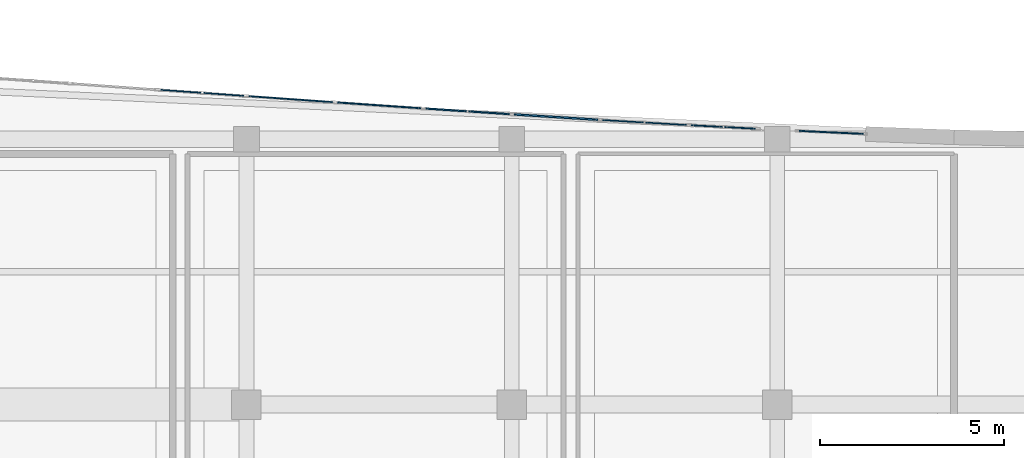
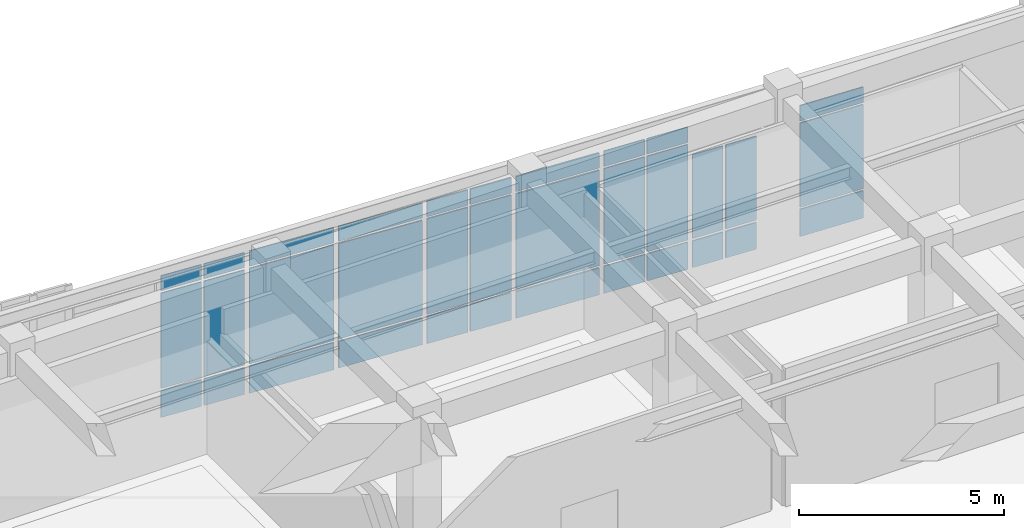
# One storey, part 78 of 117: 34 plates, 8 elements without a shape of their own.
"""IFC4 building model written with IfcOpenShell, lengths in metres."""

from ifc_helpers import new_model, si_unit, direction, frame, origin, origin_2d, place, context, subcontext, project, spatial, rectangle, extrude, material, layer, layer_set, type_object, element, aggregate, save


model = new_model("IFC4")

# Units and contexts
model_context = context("Model", 3, precision=1e-05, world=origin(), true_north=direction((0.0, 1.0)))
body_context = subcontext(model_context, "Body", "Model", "MODEL_VIEW")
ifc_project = project(units=[si_unit("LENGTHUNIT", "METRE"), si_unit("AREAUNIT", "SQUARE_METRE"), si_unit("VOLUMEUNIT", "CUBIC_METRE"), si_unit("PLANEANGLEUNIT", "RADIAN"), si_unit("MASSUNIT", "GRAM", prefix="KILO")], contexts=[model_context])

# Site, building, storey
site_placement = place(None, origin())
site = spatial("IfcSite", under=ifc_project, at=site_placement, CompositionType="ELEMENT")
building_placement = place(site_placement, origin())
building = spatial("IfcBuilding", under=site, at=building_placement, Name="Carrowvane Square Congress Hotel", CompositionType="ELEMENT")
storey_placement = place(building_placement, frame((0.0, 0.0, 5.39990234375)))
storey = spatial("IfcBuildingStorey", under=building, at=storey_placement, Name="L01", CompositionType="ELEMENT", Elevation=5.39990234375)

# Curtain wall, plates
ifc_material_1 = material(Name="Anodised aluminium", Category="aluminium")
ifc_layer_1 = layer(ifc_material_1, 0.174072265625)
ifc_layer_set_1 = layer_set([ifc_layer_1], Name="Anodised aluminium")
curtain_wall_type_1 = type_object("IfcCurtainWallType", Name="CW-SYS-2", PredefinedType="NOTDEFINED", material=ifc_layer_set_1)
curtain_wall_1_placement = place(storey_placement, origin())
curtain_wall_1 = element("IfcCurtainWall", 1, at=curtain_wall_1_placement, inside=storey, type_object=curtain_wall_type_1, Name="L01 unitised curtain wall 105", PredefinedType="NOTDEFINED")
ifc_material_2 = material(Name="Double-glazed low-E glass", Category="glass")
ifc_layer_2 = layer(ifc_material_2, 0.028076171875)
ifc_layer_set_2 = layer_set([ifc_layer_2], Name="Double-glazed low-E glass")
plate_type_1 = type_object("IfcPlateType", Name="CW-PAN-1", PredefinedType="CURTAIN_PANEL", material=ifc_layer_set_2)
plate_1_placement = place(storey_placement, frame((139.41748046875, 114.698974609375, 0.070068359375), z_axis=(0.0, 0.0, 1.0), x_axis=(0.997446152826, -0.071422490945, 0.0)))
plate_1 = element("IfcPlate", 2, at=plate_1_placement, type_object=plate_type_1, Name="CW-2 panel 1.1", PredefinedType="CURTAIN_PANEL", context=body_context, shape_type="SweptSolid", body=[
    extrude(rectangle(XDim=1.09814453125, YDim=0.028076171875, at=origin_2d()), origin(), (0.0, 0.0, 1.0), 0.794921875),
])
plate_2_placement = place(storey_placement, frame((139.41748046875, 114.698974609375, 0.93505859375), z_axis=(0.0, 0.0, 1.0), x_axis=(0.997446152826, -0.071422490945, 0.0)))
plate_2 = element("IfcPlate", 3, at=plate_2_placement, type_object=plate_type_1, Name="CW-2 panel 1.2", PredefinedType="CURTAIN_PANEL", context=body_context, shape_type="SweptSolid", body=[
    extrude(rectangle(XDim=1.09814453125, YDim=0.028076171875, at=origin_2d()), origin(), (0.0, 0.0, 1.0), 2.835693359375),
])
plate_3_placement = place(storey_placement, frame((139.41748046875, 114.698974609375, 3.8408203125), z_axis=(0.0, 0.0, 1.0), x_axis=(0.997446152826, -0.071422490945, 0.0)))
plate_3 = element("IfcPlate", 4, at=plate_3_placement, type_object=plate_type_1, Name="CW-2 panel 1.3", PredefinedType="CURTAIN_PANEL", context=body_context, shape_type="SweptSolid", body=[
    extrude(rectangle(XDim=1.09814453125, YDim=0.028076171875, at=origin_2d()), origin(), (0.0, 0.0, 1.0), 0.445068359375),
])
plate_4_placement = place(storey_placement, frame((140.58251953125, 114.615478515625, 0.070068359375), z_axis=(0.0, 0.0, 1.0), x_axis=(0.997446152826, -0.071422490945, 0.0)))
plate_4 = element("IfcPlate", 5, at=plate_4_placement, type_object=plate_type_1, Name="CW-2 panel 2.1", PredefinedType="CURTAIN_PANEL", context=body_context, shape_type="SweptSolid", body=[
    extrude(rectangle(XDim=1.09814453125, YDim=0.028076171875, at=origin_2d()), origin(), (0.0, 0.0, 1.0), 0.794921875),
])
plate_5_placement = place(storey_placement, frame((140.58251953125, 114.615478515625, 0.93505859375), z_axis=(0.0, 0.0, 1.0), x_axis=(0.997446152826, -0.071422490945, 0.0)))
plate_5 = element("IfcPlate", 6, at=plate_5_placement, type_object=plate_type_1, Name="CW-2 panel 2.2", PredefinedType="CURTAIN_PANEL", context=body_context, shape_type="SweptSolid", body=[
    extrude(rectangle(XDim=1.09814453125, YDim=0.028076171875, at=origin_2d()), origin(), (0.0, 0.0, 1.0), 2.835693359375),
])
plate_6_placement = place(storey_placement, frame((140.58251953125, 114.615478515625, 3.8408203125), z_axis=(0.0, 0.0, 1.0), x_axis=(0.997446152826, -0.071422490945, 0.0)))
plate_6 = element("IfcPlate", 7, at=plate_6_placement, type_object=plate_type_1, Name="CW-2 panel 2.3", PredefinedType="CURTAIN_PANEL", context=body_context, shape_type="SweptSolid", body=[
    extrude(rectangle(XDim=1.09814453125, YDim=0.028076171875, at=origin_2d()), origin(), (0.0, 0.0, 1.0), 0.445068359375),
])
aggregate(curtain_wall_1, [plate_1, plate_2, plate_3, plate_4, plate_5, plate_6])

ifc_material_3 = material(Name="Anodised aluminium", Category="aluminium")
ifc_layer_3 = layer(ifc_material_3, 0.23388671875)
ifc_layer_set_3 = layer_set([ifc_layer_3], Name="Anodised aluminium")
curtain_wall_type_2 = type_object("IfcCurtainWallType", Name="CW-SYS-7", PredefinedType="NOTDEFINED", material=ifc_layer_set_3)
curtain_wall_2_placement = place(storey_placement, origin())
curtain_wall_2 = element("IfcCurtainWall", 8, at=curtain_wall_2_placement, inside=storey, type_object=curtain_wall_type_2, Name="L01 unitised curtain wall 110", PredefinedType="NOTDEFINED")
plate_7_placement = place(storey_placement, frame((151.4150390625, 113.88671875, 0.06005859375), z_axis=(0.0, 0.0, 1.0), x_axis=(0.99825866099, -0.058988522254, 0.0)))
plate_7 = element("IfcPlate", 9, at=plate_7_placement, type_object=plate_type_1, Name="CW-7 panel 1.1", PredefinedType="CURTAIN_PANEL", context=body_context, shape_type="SweptSolid", body=[
    extrude(rectangle(XDim=1.112060546875, YDim=0.028076171875, at=origin_2d()), origin(), (0.0, 0.0, 1.0), 0.81005859375),
])
plate_8_placement = place(storey_placement, frame((151.4150390625, 113.88671875, 0.929931640625), z_axis=(0.0, 0.0, 1.0), x_axis=(0.99825866099, -0.058988522254, 0.0)))
plate_8 = element("IfcPlate", 10, at=plate_8_placement, type_object=plate_type_1, Name="CW-7 panel 1.2", PredefinedType="CURTAIN_PANEL", context=body_context, shape_type="SweptSolid", body=[
    extrude(rectangle(XDim=1.112060546875, YDim=0.028076171875, at=origin_2d()), origin(), (0.0, 0.0, 1.0), 2.845703125),
])
plate_9_placement = place(storey_placement, frame((151.4150390625, 113.88671875, 3.835693359375), z_axis=(0.0, 0.0, 1.0), x_axis=(0.99825866099, -0.058988522254, 0.0)))
plate_9 = element("IfcPlate", 11, at=plate_9_placement, type_object=plate_type_1, Name="CW-7 panel 1.3", PredefinedType="CURTAIN_PANEL", context=body_context, shape_type="SweptSolid", body=[
    extrude(rectangle(XDim=1.112060546875, YDim=0.028076171875, at=origin_2d()), origin(), (0.0, 0.0, 1.0), 0.4599609375),
])
plate_10_placement = place(storey_placement, frame((152.5849609375, 113.817626953125, 0.06005859375), z_axis=(0.0, 0.0, 1.0), x_axis=(0.99825866099, -0.058988522254, 0.0)))
plate_10 = element("IfcPlate", 12, at=plate_10_placement, type_object=plate_type_1, Name="CW-7 panel 2.1", PredefinedType="CURTAIN_PANEL", context=body_context, shape_type="SweptSolid", body=[
    extrude(rectangle(XDim=1.112060546875, YDim=0.028076171875, at=origin_2d()), origin(), (0.0, 0.0, 1.0), 0.81005859375),
])
plate_11_placement = place(storey_placement, frame((152.5849609375, 113.817626953125, 0.929931640625), z_axis=(0.0, 0.0, 1.0), x_axis=(0.99825866099, -0.058988522254, 0.0)))
plate_11 = element("IfcPlate", 13, at=plate_11_placement, type_object=plate_type_1, Name="CW-7 panel 2.2", PredefinedType="CURTAIN_PANEL", context=body_context, shape_type="SweptSolid", body=[
    extrude(rectangle(XDim=1.112060546875, YDim=0.028076171875, at=origin_2d()), origin(), (0.0, 0.0, 1.0), 2.845703125),
])
plate_12_placement = place(storey_placement, frame((152.5849609375, 113.817626953125, 3.835693359375), z_axis=(0.0, 0.0, 1.0), x_axis=(0.99825866099, -0.058988522254, 0.0)))
plate_12 = element("IfcPlate", 14, at=plate_12_placement, type_object=plate_type_1, Name="CW-7 panel 2.3", PredefinedType="CURTAIN_PANEL", context=body_context, shape_type="SweptSolid", body=[
    extrude(rectangle(XDim=1.112060546875, YDim=0.028076171875, at=origin_2d()), origin(), (0.0, 0.0, 1.0), 0.4599609375),
])
aggregate(curtain_wall_2, [plate_7, plate_8, plate_9, plate_10, plate_11, plate_12])

ifc_material_4 = material(Name="Anodised aluminium", Category="aluminium")
ifc_layer_4 = layer(ifc_material_4, 0.18603515625)
ifc_layer_set_4 = layer_set([ifc_layer_4], Name="Anodised aluminium")
curtain_wall_type_3 = type_object("IfcCurtainWallType", Name="CW-SYS-3", PredefinedType="NOTDEFINED", material=ifc_layer_set_4)
curtain_wall_3_placement = place(storey_placement, origin())
curtain_wall_3 = element("IfcCurtainWall", 15, at=curtain_wall_3_placement, inside=storey, type_object=curtain_wall_type_3, Name="L01 unitised curtain wall 106", PredefinedType="NOTDEFINED")
ifc_material_5 = material(Name="Double-glazed low-E glass", Category="glass")
ifc_layer_5 = layer(ifc_material_5, 0.031982421875)
ifc_layer_set_5 = layer_set([ifc_layer_5], Name="Double-glazed low-E glass")
plate_type_2 = type_object("IfcPlateType", Name="CW-PAN-2", PredefinedType="CURTAIN_PANEL", material=ifc_layer_set_5)
plate_13_placement = place(storey_placement, frame((142.39990234375, 114.486328125, 0.06005859375), z_axis=(0.0, 0.0, 1.0), x_axis=(0.997505697746, -0.070585996942, 0.0)))
plate_13 = element("IfcPlate", 16, at=plate_13_placement, type_object=plate_type_2, Name="CW-3 panel 1.1", PredefinedType="CURTAIN_PANEL", context=body_context, shape_type="SweptSolid", body=[
    extrude(rectangle(XDim=2.285888671875, YDim=0.031982421875, at=origin_2d()), origin(), (0.0, 0.0, 1.0), 0.81005859375),
])
plate_14_placement = place(storey_placement, frame((142.39990234375, 114.486328125, 0.929931640625), z_axis=(0.0, 0.0, 1.0), x_axis=(0.997505697746, -0.070585996942, 0.0)))
plate_14 = element("IfcPlate", 17, at=plate_14_placement, type_object=plate_type_2, Name="CW-3 panel 1.2", PredefinedType="CURTAIN_PANEL", context=body_context, shape_type="SweptSolid", body=[
    extrude(rectangle(XDim=2.285888671875, YDim=0.031982421875, at=origin_2d()), origin(), (0.0, 0.0, 1.0), 2.845703125),
])
plate_15_placement = place(storey_placement, frame((142.39990234375, 114.486328125, 3.835693359375), z_axis=(0.0, 0.0, 1.0), x_axis=(0.997505697746, -0.070585996942, 0.0)))
plate_15 = element("IfcPlate", 18, at=plate_15_placement, type_object=plate_type_2, Name="CW-3 panel 1.3", PredefinedType="CURTAIN_PANEL", context=body_context, shape_type="SweptSolid", body=[
    extrude(rectangle(XDim=2.285888671875, YDim=0.031982421875, at=origin_2d()), origin(), (0.0, 0.0, 1.0), 0.4599609375),
])
aggregate(curtain_wall_3, [plate_13, plate_14, plate_15])

ifc_material_6 = material(Name="Anodised aluminium", Category="aluminium")
ifc_layer_6 = layer(ifc_material_6, 0.24609375)
ifc_layer_set_6 = layer_set([ifc_layer_6], Name="Anodised aluminium")
curtain_wall_type_4 = type_object("IfcCurtainWallType", Name="CW-SYS-8", PredefinedType="NOTDEFINED", material=ifc_layer_set_6)
curtain_wall_4_placement = place(storey_placement, origin())
curtain_wall_4 = element("IfcCurtainWall", 19, at=curtain_wall_4_placement, inside=storey, type_object=curtain_wall_type_4, Name="L01 unitised curtain wall 111", PredefinedType="NOTDEFINED")
plate_16_placement = place(storey_placement, frame((153.687744140625, 113.755126953125, 0.070068359375), z_axis=(0.0, 0.0, 1.0), x_axis=(0.99856693693, -0.053517029722, 0.0)))
plate_16 = element("IfcPlate", 20, at=plate_16_placement, type_object=plate_type_2, Name="CW-8 panel 1.1", PredefinedType="CURTAIN_PANEL", context=body_context, shape_type="SweptSolid", body=[
    extrude(rectangle(XDim=0.8369140625, YDim=0.031982421875, at=origin_2d()), origin(), (0.0, 0.0, 1.0), 0.794921875),
])
plate_17_placement = place(storey_placement, frame((153.687744140625, 113.755126953125, 0.93505859375), z_axis=(0.0, 0.0, 1.0), x_axis=(0.99856693693, -0.053517029722, 0.0)))
plate_17 = element("IfcPlate", 21, at=plate_17_placement, type_object=plate_type_2, Name="CW-8 panel 1.2", PredefinedType="CURTAIN_PANEL", context=body_context, shape_type="SweptSolid", body=[
    extrude(rectangle(XDim=0.8369140625, YDim=0.031982421875, at=origin_2d()), origin(), (0.0, 0.0, 1.0), 2.4951171875),
])
plate_18_placement = place(storey_placement, frame((154.59326171875, 113.706787109375, 0.070068359375), z_axis=(0.0, 0.0, 1.0), x_axis=(0.99856693693, -0.053517029722, 0.0)))
plate_18 = element("IfcPlate", 22, at=plate_18_placement, type_object=plate_type_2, Name="CW-8 panel 2.1", PredefinedType="CURTAIN_PANEL", context=body_context, shape_type="SweptSolid", body=[
    extrude(rectangle(XDim=0.8369140625, YDim=0.031982421875, at=origin_2d()), origin(), (0.0, 0.0, 1.0), 0.794921875),
])
plate_19_placement = place(storey_placement, frame((154.59326171875, 113.706787109375, 0.93505859375), z_axis=(0.0, 0.0, 1.0), x_axis=(0.99856693693, -0.053517029722, 0.0)))
plate_19 = element("IfcPlate", 23, at=plate_19_placement, type_object=plate_type_2, Name="CW-8 panel 2.2", PredefinedType="CURTAIN_PANEL", context=body_context, shape_type="SweptSolid", body=[
    extrude(rectangle(XDim=0.8369140625, YDim=0.031982421875, at=origin_2d()), origin(), (0.0, 0.0, 1.0), 2.4951171875),
])
aggregate(curtain_wall_4, [plate_16, plate_17, plate_18, plate_19])

ifc_material_7 = material(Name="Anodised aluminium", Category="aluminium")
ifc_layer_7 = layer(ifc_material_7, 0.197998046875)
ifc_layer_set_7 = layer_set([ifc_layer_7], Name="Anodised aluminium")
curtain_wall_type_5 = type_object("IfcCurtainWallType", Name="CW-SYS-4", PredefinedType="NOTDEFINED", material=ifc_layer_set_7)
curtain_wall_5_placement = place(storey_placement, origin())
curtain_wall_5 = element("IfcCurtainWall", 24, at=curtain_wall_5_placement, inside=storey, type_object=curtain_wall_type_5, Name="L01 unitised curtain wall 107", PredefinedType="NOTDEFINED")
ifc_material_8 = material(Name="Double-glazed low-E glass", Category="glass")
ifc_layer_8 = layer(ifc_material_8, 0.035888671875)
ifc_layer_set_8 = layer_set([ifc_layer_8], Name="Double-glazed low-E glass")
plate_type_3 = type_object("IfcPlateType", Name="CW-PAN-3", PredefinedType="CURTAIN_PANEL", material=ifc_layer_set_8)
plate_20_placement = place(storey_placement, frame((144.800048828125, 114.318359375, 0.070068359375), z_axis=(0.0, 0.0, 1.0), x_axis=(0.997617619706, -0.068986120725, 0.0)))
plate_20 = element("IfcPlate", 25, at=plate_20_placement, type_object=plate_type_3, Name="CW-4 panel 1.1", PredefinedType="CURTAIN_PANEL", context=body_context, shape_type="SweptSolid", body=[
    extrude(rectangle(XDim=2.265625, YDim=0.035888671875, at=origin_2d()), origin(), (0.0, 0.0, 1.0), 0.794921875),
])
plate_21_placement = place(storey_placement, frame((144.800048828125, 114.318359375, 0.93505859375), z_axis=(0.0, 0.0, 1.0), x_axis=(0.997617619706, -0.068986120725, 0.0)))
plate_21 = element("IfcPlate", 26, at=plate_21_placement, type_object=plate_type_3, Name="CW-4 panel 1.2", PredefinedType="CURTAIN_PANEL", context=body_context, shape_type="SweptSolid", body=[
    extrude(rectangle(XDim=2.265625, YDim=0.035888671875, at=origin_2d()), origin(), (0.0, 0.0, 1.0), 2.835693359375),
])
plate_22_placement = place(storey_placement, frame((144.800048828125, 114.318359375, 3.8408203125), z_axis=(0.0, 0.0, 1.0), x_axis=(0.997617619706, -0.068986120725, 0.0)))
plate_22 = element("IfcPlate", 27, at=plate_22_placement, type_object=plate_type_3, Name="CW-4 panel 1.3", PredefinedType="CURTAIN_PANEL", context=body_context, shape_type="SweptSolid", body=[
    extrude(rectangle(XDim=2.265625, YDim=0.035888671875, at=origin_2d()), origin(), (0.0, 0.0, 1.0), 0.445068359375),
])
aggregate(curtain_wall_5, [plate_20, plate_21, plate_22])

ifc_material_9 = material(Name="Anodised aluminium", Category="aluminium")
ifc_layer_9 = layer(ifc_material_9, 0.162109375)
ifc_layer_set_9 = layer_set([ifc_layer_9], Name="Anodised aluminium")
curtain_wall_type_6 = type_object("IfcCurtainWallType", Name="CW-SYS-1", PredefinedType="NOTDEFINED", material=ifc_layer_set_9)
curtain_wall_6_placement = place(storey_placement, origin())
curtain_wall_6 = element("IfcCurtainWall", 28, at=curtain_wall_6_placement, inside=storey, type_object=curtain_wall_type_6, Name="L01 unitised curtain wall 112", PredefinedType="NOTDEFINED")
plate_23_placement = place(storey_placement, frame((157.072265625, 113.584228515625, 0.06005859375), z_axis=(0.0, 0.0, 1.0), x_axis=(0.998917498926, -0.04651698979, 0.0)))
plate_23 = element("IfcPlate", 29, at=plate_23_placement, type_object=plate_type_3, Name="CW-1 panel 1.1", PredefinedType="CURTAIN_PANEL", context=body_context, shape_type="SweptSolid", body=[
    extrude(rectangle(XDim=1.737548828125, YDim=0.035888671875, at=origin_2d()), origin(), (0.0, 0.0, 1.0), 0.81005859375),
])
plate_24_placement = place(storey_placement, frame((157.072265625, 113.584228515625, 0.93017578125), z_axis=(0.0, 0.0, 1.0), x_axis=(0.998917498926, -0.04651698979, 0.0)))
plate_24 = element("IfcPlate", 30, at=plate_24_placement, type_object=plate_type_3, Name="CW-1 panel 1.2", PredefinedType="CURTAIN_PANEL", context=body_context, shape_type="SweptSolid", body=[
    extrude(rectangle(XDim=1.737548828125, YDim=0.035888671875, at=origin_2d()), origin(), (0.0, 0.0, 1.0), 2.5048828125),
])
plate_25_placement = place(storey_placement, frame((157.072265625, 113.584228515625, 3.4951171875), z_axis=(0.0, 0.0, 1.0), x_axis=(0.998917498926, -0.04651698979, 0.0)))
plate_25 = element("IfcPlate", 31, at=plate_25_placement, type_object=plate_type_3, Name="CW-1 panel 1.3", PredefinedType="CURTAIN_PANEL", context=body_context, shape_type="SweptSolid", body=[
    extrude(rectangle(XDim=1.737548828125, YDim=0.035888671875, at=origin_2d()), origin(), (0.0, 0.0, 1.0), 0.4599609375),
])
aggregate(curtain_wall_6, [plate_23, plate_24, plate_25])

ifc_material_10 = material(Name="Anodised aluminium", Category="aluminium")
ifc_layer_10 = layer(ifc_material_10, 0.2099609375)
ifc_layer_set_10 = layer_set([ifc_layer_10], Name="Anodised aluminium")
curtain_wall_type_7 = type_object("IfcCurtainWallType", Name="CW-SYS-5", PredefinedType="NOTDEFINED", material=ifc_layer_set_10)
curtain_wall_7_placement = place(storey_placement, origin())
curtain_wall_7 = element("IfcCurtainWall", 32, at=curtain_wall_7_placement, inside=storey, type_object=curtain_wall_type_7, Name="L01 unitised curtain wall 108", PredefinedType="NOTDEFINED")
ifc_material_11 = material(Name="Double-glazed low-E glass", Category="glass")
ifc_layer_11 = layer(ifc_material_11, 0.0419921875)
ifc_layer_set_11 = layer_set([ifc_layer_11], Name="Double-glazed low-E glass")
plate_type_4 = type_object("IfcPlateType", Name="CW-PAN-4", PredefinedType="CURTAIN_PANEL", material=ifc_layer_set_11)
plate_26_placement = place(storey_placement, frame((146.614990234375, 114.1943359375, 0.06005859375), z_axis=(0.0, 0.0, 1.0), x_axis=(0.997781495544, -0.06657392244, 0.0)))
plate_26 = element("IfcPlate", 33, at=plate_26_placement, type_object=plate_type_4, Name="CW-5 panel 1.1", PredefinedType="CURTAIN_PANEL", context=body_context, shape_type="SweptSolid", body=[
    extrude(rectangle(XDim=1.112548828125, YDim=0.0419921875, at=origin_2d()), origin(), (0.0, 0.0, 1.0), 0.81005859375),
])
plate_27_placement = place(storey_placement, frame((146.614990234375, 114.1943359375, 0.929931640625), z_axis=(0.0, 0.0, 1.0), x_axis=(0.997781495544, -0.06657392244, 0.0)))
plate_27 = element("IfcPlate", 34, at=plate_27_placement, type_object=plate_type_4, Name="CW-5 panel 1.2", PredefinedType="CURTAIN_PANEL", context=body_context, shape_type="SweptSolid", body=[
    extrude(rectangle(XDim=1.112548828125, YDim=0.0419921875, at=origin_2d()), origin(), (0.0, 0.0, 1.0), 2.845703125),
])
plate_28_placement = place(storey_placement, frame((146.614990234375, 114.1943359375, 3.835693359375), z_axis=(0.0, 0.0, 1.0), x_axis=(0.997781495544, -0.06657392244, 0.0)))
plate_28 = element("IfcPlate", 35, at=plate_28_placement, type_object=plate_type_4, Name="CW-5 panel 1.3", PredefinedType="CURTAIN_PANEL", context=body_context, shape_type="SweptSolid", body=[
    extrude(rectangle(XDim=1.112548828125, YDim=0.0419921875, at=origin_2d()), origin(), (0.0, 0.0, 1.0), 0.4599609375),
])
plate_29_placement = place(storey_placement, frame((147.784912109375, 114.116455078125, 0.06005859375), z_axis=(0.0, 0.0, 1.0), x_axis=(0.997781495544, -0.06657392244, 0.0)))
plate_29 = element("IfcPlate", 36, at=plate_29_placement, type_object=plate_type_4, Name="CW-5 panel 2.1", PredefinedType="CURTAIN_PANEL", context=body_context, shape_type="SweptSolid", body=[
    extrude(rectangle(XDim=1.112548828125, YDim=0.0419921875, at=origin_2d()), origin(), (0.0, 0.0, 1.0), 0.81005859375),
])
plate_30_placement = place(storey_placement, frame((147.784912109375, 114.116455078125, 0.929931640625), z_axis=(0.0, 0.0, 1.0), x_axis=(0.997781495544, -0.06657392244, 0.0)))
plate_30 = element("IfcPlate", 37, at=plate_30_placement, type_object=plate_type_4, Name="CW-5 panel 2.2", PredefinedType="CURTAIN_PANEL", context=body_context, shape_type="SweptSolid", body=[
    extrude(rectangle(XDim=1.112548828125, YDim=0.0419921875, at=origin_2d()), origin(), (0.0, 0.0, 1.0), 2.845703125),
])
plate_31_placement = place(storey_placement, frame((147.784912109375, 114.116455078125, 3.835693359375), z_axis=(0.0, 0.0, 1.0), x_axis=(0.997781495544, -0.06657392244, 0.0)))
plate_31 = element("IfcPlate", 38, at=plate_31_placement, type_object=plate_type_4, Name="CW-5 panel 2.3", PredefinedType="CURTAIN_PANEL", context=body_context, shape_type="SweptSolid", body=[
    extrude(rectangle(XDim=1.112548828125, YDim=0.0419921875, at=origin_2d()), origin(), (0.0, 0.0, 1.0), 0.4599609375),
])
aggregate(curtain_wall_7, [plate_26, plate_27, plate_28, plate_29, plate_30, plate_31])

ifc_material_12 = material(Name="Anodised aluminium", Category="aluminium")
ifc_layer_12 = layer(ifc_material_12, 0.221923828125)
ifc_layer_set_12 = layer_set([ifc_layer_12], Name="Anodised aluminium")
curtain_wall_type_8 = type_object("IfcCurtainWallType", Name="CW-SYS-6", PredefinedType="NOTDEFINED", material=ifc_layer_set_12)
curtain_wall_8_placement = place(storey_placement, origin())
curtain_wall_8 = element("IfcCurtainWall", 39, at=curtain_wall_8_placement, inside=storey, type_object=curtain_wall_type_8, Name="L01 unitised curtain wall 109", PredefinedType="NOTDEFINED")
ifc_material_13 = material(Name="Double-glazed low-E glass", Category="glass")
ifc_layer_13 = layer(ifc_material_13, 0.048095703125)
ifc_layer_set_13 = layer_set([ifc_layer_13], Name="Double-glazed low-E glass")
plate_type_5 = type_object("IfcPlateType", Name="CW-PAN-5", PredefinedType="CURTAIN_PANEL", material=ifc_layer_set_13)
plate_32_placement = place(storey_placement, frame((149.60009765625, 113.999267578125, 0.070068359375), z_axis=(0.0, 0.0, 1.0), x_axis=(0.997996225303, -0.063273487972, 0.0)))
plate_32 = element("IfcPlate", 40, at=plate_32_placement, type_object=plate_type_5, Name="CW-6 panel 1.1", PredefinedType="CURTAIN_PANEL", context=body_context, shape_type="SweptSolid", body=[
    extrude(rectangle(XDim=2.264892578125, YDim=0.048095703125, at=origin_2d()), origin(), (0.0, 0.0, 1.0), 0.794921875),
])
plate_33_placement = place(storey_placement, frame((149.60009765625, 113.999267578125, 0.93505859375), z_axis=(0.0, 0.0, 1.0), x_axis=(0.997996225303, -0.063273487972, 0.0)))
plate_33 = element("IfcPlate", 41, at=plate_33_placement, type_object=plate_type_5, Name="CW-6 panel 1.2", PredefinedType="CURTAIN_PANEL", context=body_context, shape_type="SweptSolid", body=[
    extrude(rectangle(XDim=2.264892578125, YDim=0.048095703125, at=origin_2d()), origin(), (0.0, 0.0, 1.0), 2.835693359375),
])
plate_34_placement = place(storey_placement, frame((149.60009765625, 113.999267578125, 3.8408203125), z_axis=(0.0, 0.0, 1.0), x_axis=(0.997996225303, -0.063273487972, 0.0)))
plate_34 = element("IfcPlate", 42, at=plate_34_placement, type_object=plate_type_5, Name="CW-6 panel 1.3", PredefinedType="CURTAIN_PANEL", context=body_context, shape_type="SweptSolid", body=[
    extrude(rectangle(XDim=2.264892578125, YDim=0.048095703125, at=origin_2d()), origin(), (0.0, 0.0, 1.0), 0.445068359375),
])
aggregate(curtain_wall_8, [plate_32, plate_33, plate_34])

save(model, "model.ifc")
